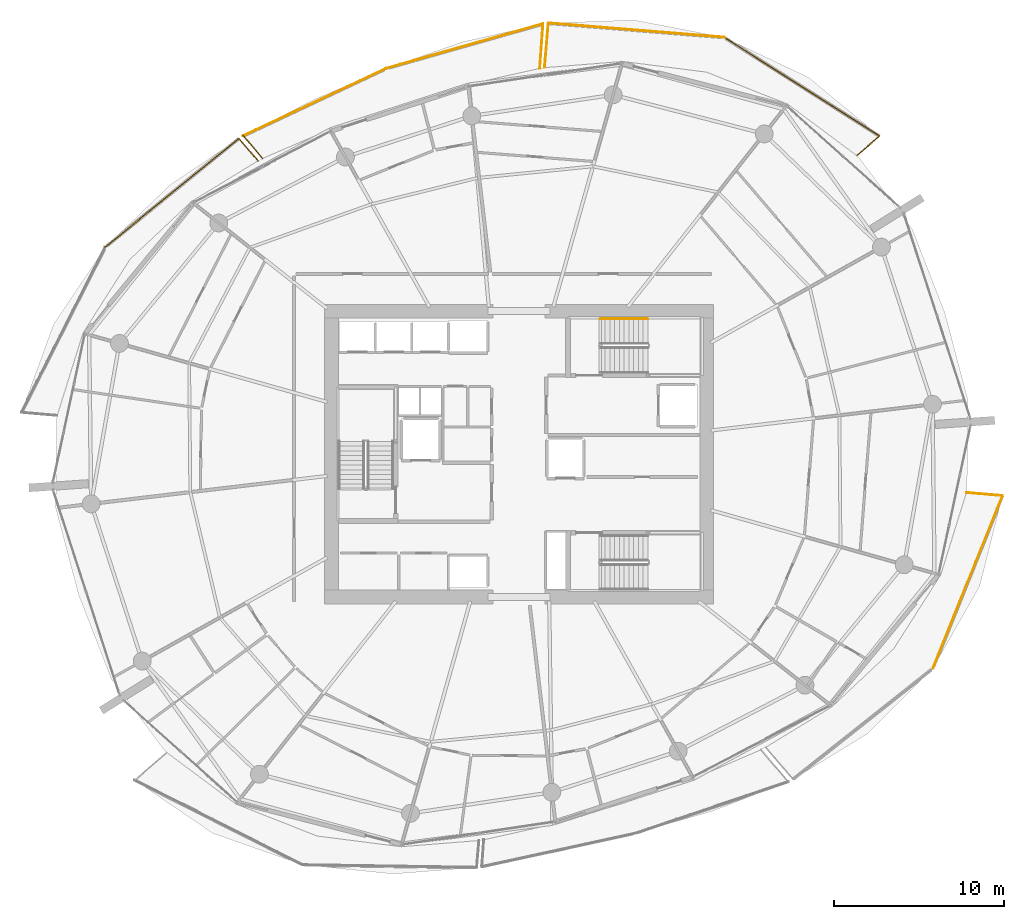
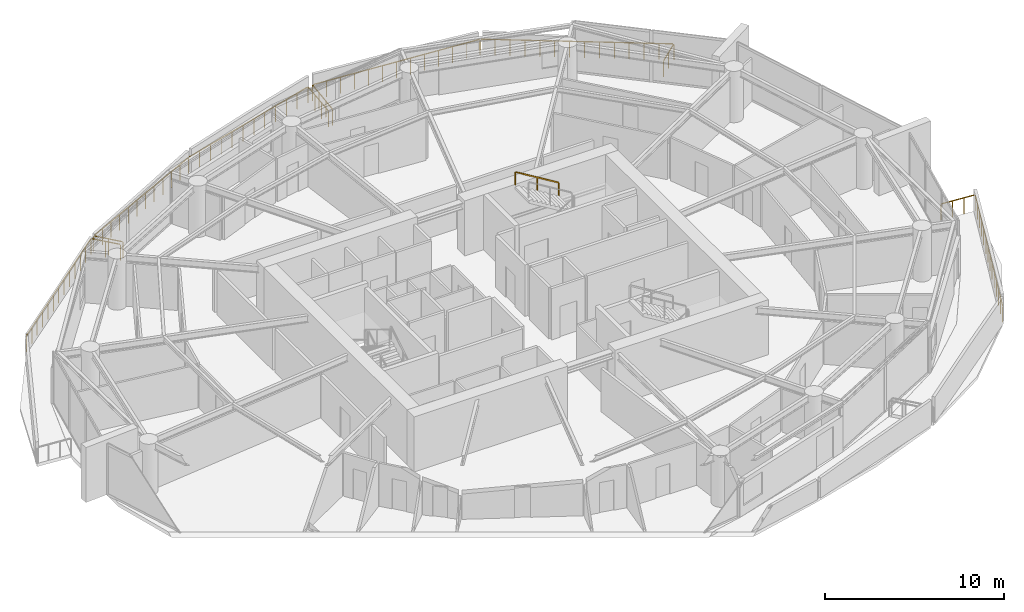
# One storey, part 20 of 20: 13 railings.
"""IFC4 building model written with IfcOpenShell, lengths in metres."""

from ifc_helpers import new_model, si_unit, direction, frame, origin, origin_2d, place, context, subcontext, project, spatial, rectangle, extrude, material, type_object, element, save


model = new_model("IFC4")

# Units and contexts
model_context = context("Model", 3, precision=1e-05, world=origin(), true_north=direction((0.0, 1.0)))
body_context = subcontext(model_context, "Body", "Model", "MODEL_VIEW")
ifc_project = project(units=[si_unit("LENGTHUNIT", "METRE"), si_unit("AREAUNIT", "SQUARE_METRE"), si_unit("VOLUMEUNIT", "CUBIC_METRE"), si_unit("PLANEANGLEUNIT", "RADIAN"), si_unit("MASSUNIT", "GRAM", prefix="KILO")], contexts=[model_context])

# Site, building, storey
site_placement = place(None, origin())
site = spatial("IfcSite", under=ifc_project, at=site_placement, CompositionType="ELEMENT")
building_placement = place(site_placement, origin())
building = spatial("IfcBuilding", under=site, at=building_placement, Name="Kazma Halo Residences", CompositionType="ELEMENT")
storey_placement = place(building_placement, frame((0.0, 0.0, 157.800048828125)))
storey = spatial("IfcBuildingStorey", under=building, at=storey_placement, Name="L39", CompositionType="ELEMENT", Elevation=157.800048828125)

# Railings
ifc_material_1 = material(Name="Aluminium AW-6063 T6 Brushed Cap Rail", Category="aluminium")
railing_type_1 = type_object("IfcRailingType", Name="RLG-BAL-CAP-1120", PredefinedType="BALUSTRADE", material=ifc_material_1)
railing_1_placement = place(storey_placement, frame((68.294677734375, 59.548583984375, 0.0)))
element("IfcRailing", 1, at=railing_1_placement, inside=storey, type_object=railing_type_1, Name="L39 NE wave balcony guard 1", PredefinedType="BALUSTRADE", context=body_context, shape_type="SweptSolid", body=[
    extrude(rectangle(XDim=0.050048828125, YDim=0.050048828125, at=origin_2d()), frame((0.0322265625, 0.02783203125, 1.09521484375), z_axis=(0.756385467326, 0.654126153595, 0.0), x_axis=(-0.654126153595, 0.756385467326, 0.0)), (0.0, 0.0, 1.0), 1.672119140625),
    extrude(rectangle(XDim=0.0400390625, YDim=0.0400390625, at=origin_2d()), origin(), (0.0, 0.0, 1.0), 1.05810546875),
    extrude(rectangle(XDim=0.0400390625, YDim=0.0400390625, at=origin_2d()), frame((0.66455078125, 0.57470703125, 0.0)), (0.0, 0.0, 1.0), 1.05810546875),
    extrude(rectangle(XDim=0.0400390625, YDim=0.0400390625, at=origin_2d()), frame((1.3291015625, 1.1494140625, 0.0)), (0.0, 0.0, 1.0), 1.05810546875),
])
railing_2_placement = place(storey_placement, frame((69.623779296875, 60.697998046875, 0.0)))
element("IfcRailing", 2, at=railing_2_placement, inside=storey, type_object=railing_type_1, Name="L39 NE wave balcony guard 2", PredefinedType="BALUSTRADE", context=body_context, shape_type="SweptSolid", body=[
    extrude(rectangle(XDim=0.050048828125, YDim=0.050048828125, at=origin_2d()), frame((-0.035888671875, 0.022705078125, 1.09521484375), z_axis=(-0.844056806548, 0.53625377138, 0.0), x_axis=(-0.53625377138, -0.844056806548, 0.0)), (0.0, 0.0, 1.0), 10.74169921875),
    extrude(rectangle(XDim=0.0400390625, YDim=0.0400390625, at=origin_2d()), origin(), (0.0, 0.0, 1.0), 1.05810546875),
    extrude(rectangle(XDim=0.0400390625, YDim=0.0400390625, at=origin_2d()), frame((-0.702880859375, 0.446533203125, 0.0)), (0.0, 0.0, 1.0), 1.05810546875),
    extrude(rectangle(XDim=0.0400390625, YDim=0.0400390625, at=origin_2d()), frame((-1.406005859375, 0.893310546875, 0.0)), (0.0, 0.0, 1.0), 1.05810546875),
    extrude(rectangle(XDim=0.0400390625, YDim=0.0400390625, at=origin_2d()), frame((-2.10888671875, 1.33984375, 0.0)), (0.0, 0.0, 1.0), 1.05810546875),
    extrude(rectangle(XDim=0.0400390625, YDim=0.0400390625, at=origin_2d()), frame((-2.811767578125, 1.786376953125, 0.0)), (0.0, 0.0, 1.0), 1.05810546875),
    extrude(rectangle(XDim=0.0400390625, YDim=0.0400390625, at=origin_2d()), frame((-3.514892578125, 2.233154296875, 0.0)), (0.0, 0.0, 1.0), 1.05810546875),
    extrude(rectangle(XDim=0.0400390625, YDim=0.0400390625, at=origin_2d()), frame((-4.2177734375, 2.6796875, 0.0)), (0.0, 0.0, 1.0), 1.05810546875),
    extrude(rectangle(XDim=0.0400390625, YDim=0.0400390625, at=origin_2d()), frame((-4.920654296875, 3.126220703125, 0.0)), (0.0, 0.0, 1.0), 1.05810546875),
    extrude(rectangle(XDim=0.0400390625, YDim=0.0400390625, at=origin_2d()), frame((-5.62353515625, 3.57275390625, 0.0)), (0.0, 0.0, 1.0), 1.05810546875),
    extrude(rectangle(XDim=0.0400390625, YDim=0.0400390625, at=origin_2d()), frame((-6.32666015625, 4.01953125, 0.0)), (0.0, 0.0, 1.0), 1.05810546875),
    extrude(rectangle(XDim=0.0400390625, YDim=0.0400390625, at=origin_2d()), frame((-7.029541015625, 4.466064453125, 0.0)), (0.0, 0.0, 1.0), 1.05810546875),
    extrude(rectangle(XDim=0.0400390625, YDim=0.0400390625, at=origin_2d()), frame((-7.732421875, 4.91259765625, 0.0)), (0.0, 0.0, 1.0), 1.05810546875),
    extrude(rectangle(XDim=0.0400390625, YDim=0.0400390625, at=origin_2d()), frame((-8.435546875, 5.359375, 0.0)), (0.0, 0.0, 1.0), 1.05810546875),
    extrude(rectangle(XDim=0.0400390625, YDim=0.0400390625, at=origin_2d()), frame((-9.138427734375, 5.805908203125, 0.0)), (0.0, 0.0, 1.0), 1.05810546875),
])
railing_3_placement = place(storey_placement, frame((60.4853515625, 66.50390625, 0.0)))
element("IfcRailing", 3, at=railing_3_placement, inside=storey, type_object=railing_type_1, Name="L39 NE wave balcony guard 3", PredefinedType="BALUSTRADE", context=body_context, shape_type="SweptSolid", body=[
    extrude(rectangle(XDim=0.050048828125, YDim=0.050048828125, at=origin_2d()), frame((-0.04248046875, 0.00341796875, 1.09521484375), z_axis=(-0.996744970525, 0.080619251626, 0.0), x_axis=(-0.080619251626, -0.996744970525, 0.0)), (0.0, 0.0, 1.0), 10.283935546875),
    extrude(rectangle(XDim=0.0400390625, YDim=0.0400390625, at=origin_2d()), origin(), (0.0, 0.0, 1.0), 1.05810546875),
    extrude(rectangle(XDim=0.0400390625, YDim=0.0400390625, at=origin_2d()), frame((-0.861328125, 0.069580078125, 0.0)), (0.0, 0.0, 1.0), 1.05810546875),
    extrude(rectangle(XDim=0.0400390625, YDim=0.0400390625, at=origin_2d()), frame((-1.72265625, 0.139404296875, 0.0)), (0.0, 0.0, 1.0), 1.05810546875),
    extrude(rectangle(XDim=0.0400390625, YDim=0.0400390625, at=origin_2d()), frame((-2.583740234375, 0.208984375, 0.0)), (0.0, 0.0, 1.0), 1.05810546875),
    extrude(rectangle(XDim=0.0400390625, YDim=0.0400390625, at=origin_2d()), frame((-3.445068359375, 0.278564453125, 0.0)), (0.0, 0.0, 1.0), 1.05810546875),
    extrude(rectangle(XDim=0.0400390625, YDim=0.0400390625, at=origin_2d()), frame((-4.306396484375, 0.348388671875, 0.0)), (0.0, 0.0, 1.0), 1.05810546875),
    extrude(rectangle(XDim=0.0400390625, YDim=0.0400390625, at=origin_2d()), frame((-5.16748046875, 0.41796875, 0.0)), (0.0, 0.0, 1.0), 1.05810546875),
    extrude(rectangle(XDim=0.0400390625, YDim=0.0400390625, at=origin_2d()), frame((-6.02880859375, 0.487548828125, 0.0)), (0.0, 0.0, 1.0), 1.05810546875),
    extrude(rectangle(XDim=0.0400390625, YDim=0.0400390625, at=origin_2d()), frame((-6.89013671875, 0.557373046875, 0.0)), (0.0, 0.0, 1.0), 1.05810546875),
    extrude(rectangle(XDim=0.0400390625, YDim=0.0400390625, at=origin_2d()), frame((-7.75146484375, 0.626953125, 0.0)), (0.0, 0.0, 1.0), 1.05810546875),
    extrude(rectangle(XDim=0.0400390625, YDim=0.0400390625, at=origin_2d()), frame((-8.61279296875, 0.696533203125, 0.0)), (0.0, 0.0, 1.0), 1.05810546875),
    extrude(rectangle(XDim=0.0400390625, YDim=0.0400390625, at=origin_2d()), frame((-9.473876953125, 0.766357421875, 0.0)), (0.0, 0.0, 1.0), 1.05810546875),
    extrude(rectangle(XDim=0.0400390625, YDim=0.0400390625, at=origin_2d()), frame((-10.335205078125, 0.8359375, 0.0)), (0.0, 0.0, 1.0), 1.05810546875),
])
railing_4_placement = place(storey_placement, frame((50.150146484375, 67.33984375, 0.0)))
element("IfcRailing", 4, at=railing_4_placement, inside=storey, type_object=railing_type_1, Name="L39 NE wave balcony guard 4", PredefinedType="BALUSTRADE", context=body_context, shape_type="SweptSolid", body=[
    extrude(rectangle(XDim=0.050048828125, YDim=0.050048828125, at=origin_2d()), frame((-0.003662109375, -0.04248046875, 1.09521484375), z_axis=(-0.084513405862, -0.996422342298, 0.0), x_axis=(0.996422342298, -0.084513405862, 0.0)), (0.0, 0.0, 1.0), 2.543701171875),
    extrude(rectangle(XDim=0.0400390625, YDim=0.0400390625, at=origin_2d()), origin(), (0.0, 0.0, 1.0), 1.05810546875),
    extrude(rectangle(XDim=0.0400390625, YDim=0.0400390625, at=origin_2d()), frame((-0.073974609375, -0.873046875, 0.0)), (0.0, 0.0, 1.0), 1.05810546875),
    extrude(rectangle(XDim=0.0400390625, YDim=0.0400390625, at=origin_2d()), frame((-0.148193359375, -1.746337890625, 0.0)), (0.0, 0.0, 1.0), 1.05810546875),
    extrude(rectangle(XDim=0.0400390625, YDim=0.0400390625, at=origin_2d()), frame((-0.22216796875, -2.619384765625, 0.0)), (0.0, 0.0, 1.0), 1.05810546875),
])
railing_5_placement = place(storey_placement, frame((49.6455078125, 64.67822265625, 0.0)))
element("IfcRailing", 5, at=railing_5_placement, inside=storey, type_object=railing_type_1, Name="L39 NNW wave balcony guard 1", PredefinedType="BALUSTRADE", context=body_context, shape_type="SweptSolid", body=[
    extrude(rectangle(XDim=0.050048828125, YDim=0.050048828125, at=origin_2d()), frame((0.003173828125, 0.04248046875, 1.09521484375), z_axis=(0.072377534265, 0.997377307008, 0.0), x_axis=(-0.997377307008, 0.072377534265, 0.0)), (0.0, 0.0, 1.0), 2.539306640625),
    extrude(rectangle(XDim=0.0400390625, YDim=0.0400390625, at=origin_2d()), origin(), (0.0, 0.0, 1.0), 1.05810546875),
    extrude(rectangle(XDim=0.0400390625, YDim=0.0400390625, at=origin_2d()), frame((0.063232421875, 0.87255859375, 0.0)), (0.0, 0.0, 1.0), 1.05810546875),
    extrude(rectangle(XDim=0.0400390625, YDim=0.0400390625, at=origin_2d()), frame((0.126708984375, 1.744873046875, 0.0)), (0.0, 0.0, 1.0), 1.05810546875),
    extrude(rectangle(XDim=0.0400390625, YDim=0.0400390625, at=origin_2d()), frame((0.18994140625, 2.617431640625, 0.0)), (0.0, 0.0, 1.0), 1.05810546875),
])
railing_6_placement = place(storey_placement, frame((49.83544921875, 67.295654296875, 0.0)))
element("IfcRailing", 6, at=railing_6_placement, inside=storey, type_object=railing_type_1, Name="L39 NNW wave balcony guard 2", PredefinedType="BALUSTRADE", context=body_context, shape_type="SweptSolid", body=[
    extrude(rectangle(XDim=0.050048828125, YDim=0.050048828125, at=origin_2d()), frame((-0.041015625, -0.01171875, 1.09521484375), z_axis=(-0.961898536708, -0.273406666119, 0.0), x_axis=(0.273406666119, -0.961898536708, 0.0)), (0.0, 0.0, 1.0), 9.48388671875),
    extrude(rectangle(XDim=0.0400390625, YDim=0.0400390625, at=origin_2d()), origin(), (0.0, 0.0, 1.0), 1.05810546875),
    extrude(rectangle(XDim=0.0400390625, YDim=0.0400390625, at=origin_2d()), frame((-0.836669921875, -0.23779296875, 0.0)), (0.0, 0.0, 1.0), 1.05810546875),
    extrude(rectangle(XDim=0.0400390625, YDim=0.0400390625, at=origin_2d()), frame((-1.673583984375, -0.4755859375, 0.0)), (0.0, 0.0, 1.0), 1.05810546875),
    extrude(rectangle(XDim=0.0400390625, YDim=0.0400390625, at=origin_2d()), frame((-2.51025390625, -0.713623046875, 0.0)), (0.0, 0.0, 1.0), 1.05810546875),
    extrude(rectangle(XDim=0.0400390625, YDim=0.0400390625, at=origin_2d()), frame((-3.346923828125, -0.951416015625, 0.0)), (0.0, 0.0, 1.0), 1.05810546875),
    extrude(rectangle(XDim=0.0400390625, YDim=0.0400390625, at=origin_2d()), frame((-4.183837890625, -1.189208984375, 0.0)), (0.0, 0.0, 1.0), 1.05810546875),
    extrude(rectangle(XDim=0.0400390625, YDim=0.0400390625, at=origin_2d()), frame((-5.0205078125, -1.427001953125, 0.0)), (0.0, 0.0, 1.0), 1.05810546875),
    extrude(rectangle(XDim=0.0400390625, YDim=0.0400390625, at=origin_2d()), frame((-5.857421875, -1.664794921875, 0.0)), (0.0, 0.0, 1.0), 1.05810546875),
    extrude(rectangle(XDim=0.0400390625, YDim=0.0400390625, at=origin_2d()), frame((-6.694091796875, -1.902587890625, 0.0)), (0.0, 0.0, 1.0), 1.05810546875),
    extrude(rectangle(XDim=0.0400390625, YDim=0.0400390625, at=origin_2d()), frame((-7.53076171875, -2.140625, 0.0)), (0.0, 0.0, 1.0), 1.05810546875),
    extrude(rectangle(XDim=0.0400390625, YDim=0.0400390625, at=origin_2d()), frame((-8.36767578125, -2.37841796875, 0.0)), (0.0, 0.0, 1.0), 1.05810546875),
    extrude(rectangle(XDim=0.0400390625, YDim=0.0400390625, at=origin_2d()), frame((-9.204345703125, -2.6162109375, 0.0)), (0.0, 0.0, 1.0), 1.05810546875),
])
railing_7_placement = place(storey_placement, frame((40.631103515625, 64.679443359375, 0.0)))
element("IfcRailing", 7, at=railing_7_placement, inside=storey, type_object=railing_type_1, Name="L39 NNW wave balcony guard 3", PredefinedType="BALUSTRADE", context=body_context, shape_type="SweptSolid", body=[
    extrude(rectangle(XDim=0.050048828125, YDim=0.050048828125, at=origin_2d()), frame((-0.03857421875, -0.01806640625, 1.09521484375), z_axis=(-0.904566410439, -0.426332744585, 0.0), x_axis=(0.426332744585, -0.904566410439, 0.0)), (0.0, 0.0, 1.0), 9.219482421875),
    extrude(rectangle(XDim=0.0400390625, YDim=0.0400390625, at=origin_2d()), origin(), (0.0, 0.0, 1.0), 1.05810546875),
    extrude(rectangle(XDim=0.0400390625, YDim=0.0400390625, at=origin_2d()), frame((-0.76513671875, -0.360595703125, 0.0)), (0.0, 0.0, 1.0), 1.05810546875),
    extrude(rectangle(XDim=0.0400390625, YDim=0.0400390625, at=origin_2d()), frame((-1.5302734375, -0.72119140625, 0.0)), (0.0, 0.0, 1.0), 1.05810546875),
    extrude(rectangle(XDim=0.0400390625, YDim=0.0400390625, at=origin_2d()), frame((-2.29541015625, -1.081787109375, 0.0)), (0.0, 0.0, 1.0), 1.05810546875),
    extrude(rectangle(XDim=0.0400390625, YDim=0.0400390625, at=origin_2d()), frame((-3.060546875, -1.4423828125, 0.0)), (0.0, 0.0, 1.0), 1.05810546875),
    extrude(rectangle(XDim=0.0400390625, YDim=0.0400390625, at=origin_2d()), frame((-3.82568359375, -1.802978515625, 0.0)), (0.0, 0.0, 1.0), 1.05810546875),
    extrude(rectangle(XDim=0.0400390625, YDim=0.0400390625, at=origin_2d()), frame((-4.5908203125, -2.163818359375, 0.0)), (0.0, 0.0, 1.0), 1.05810546875),
    extrude(rectangle(XDim=0.0400390625, YDim=0.0400390625, at=origin_2d()), frame((-5.35595703125, -2.5244140625, 0.0)), (0.0, 0.0, 1.0), 1.05810546875),
    extrude(rectangle(XDim=0.0400390625, YDim=0.0400390625, at=origin_2d()), frame((-6.12109375, -2.885009765625, 0.0)), (0.0, 0.0, 1.0), 1.05810546875),
    extrude(rectangle(XDim=0.0400390625, YDim=0.0400390625, at=origin_2d()), frame((-6.88623046875, -3.24560546875, 0.0)), (0.0, 0.0, 1.0), 1.05810546875),
    extrude(rectangle(XDim=0.0400390625, YDim=0.0400390625, at=origin_2d()), frame((-7.6513671875, -3.606201171875, 0.0)), (0.0, 0.0, 1.0), 1.05810546875),
    extrude(rectangle(XDim=0.0400390625, YDim=0.0400390625, at=origin_2d()), frame((-8.41650390625, -3.966796875, 0.0)), (0.0, 0.0, 1.0), 1.05810546875),
])
railing_8_placement = place(storey_placement, frame((32.214599609375, 60.712646484375, 0.0)))
element("IfcRailing", 8, at=railing_8_placement, inside=storey, type_object=railing_type_1, Name="L39 NNW wave balcony guard 4", PredefinedType="BALUSTRADE", context=body_context, shape_type="SweptSolid", body=[
    extrude(rectangle(XDim=0.050048828125, YDim=0.050048828125, at=origin_2d()), frame((0.02734375, -0.032470703125, 1.09521484375), z_axis=(0.644786588531, -0.764362646426, 0.0), x_axis=(0.764362646426, 0.644786588531, 0.0)), (0.0, 0.0, 1.0), 1.658447265625),
    extrude(rectangle(XDim=0.0400390625, YDim=0.0400390625, at=origin_2d()), origin(), (0.0, 0.0, 1.0), 1.05810546875),
    extrude(rectangle(XDim=0.0400390625, YDim=0.0400390625, at=origin_2d()), frame((0.56201171875, -0.66650390625, 0.0)), (0.0, 0.0, 1.0), 1.05810546875),
    extrude(rectangle(XDim=0.0400390625, YDim=0.0400390625, at=origin_2d()), frame((1.124267578125, -1.332763671875, 0.0)), (0.0, 0.0, 1.0), 1.05810546875),
])
railing_9_placement = place(storey_placement, frame((33.08544921875, 59.248046875, 0.0)))
element("IfcRailing", 9, at=railing_9_placement, inside=storey, type_object=railing_type_1, Name="L39 NW wave balcony guard 1", PredefinedType="BALUSTRADE", context=body_context, shape_type="SweptSolid", body=[
    extrude(rectangle(XDim=0.050048828125, YDim=0.050048828125, at=origin_2d()), frame((-0.02783203125, 0.0322265625, 1.09521484375), z_axis=(-0.654008270682, 0.756487397039, 0.0), x_axis=(-0.756487397039, -0.654008270682, 0.0)), (0.0, 0.0, 1.0), 1.649169921875),
    extrude(rectangle(XDim=0.0400390625, YDim=0.0400390625, at=origin_2d()), origin(), (0.0, 0.0, 1.0), 1.05810546875),
    extrude(rectangle(XDim=0.0400390625, YDim=0.0400390625, at=origin_2d()), frame((-0.567138671875, 0.656005859375, 0.0)), (0.0, 0.0, 1.0), 1.05810546875),
    extrude(rectangle(XDim=0.0400390625, YDim=0.0400390625, at=origin_2d()), frame((-1.13427734375, 1.31201171875, 0.0)), (0.0, 0.0, 1.0), 1.05810546875),
])
railing_10_placement = place(storey_placement, frame((31.951171875, 60.56005859375, 0.0)))
element("IfcRailing", 10, at=railing_10_placement, inside=storey, type_object=railing_type_1, Name="L39 NW wave balcony guard 2", PredefinedType="BALUSTRADE", context=body_context, shape_type="SweptSolid", body=[
    extrude(rectangle(XDim=0.050048828125, YDim=0.050048828125, at=origin_2d()), frame((-0.032958984375, -0.02685546875, 1.09521484375), z_axis=(-0.775869627128, -0.630893272829, 0.0), x_axis=(0.630893272829, -0.775869627128, 0.0)), (0.0, 0.0, 1.0), 10.032470703125),
    extrude(rectangle(XDim=0.0400390625, YDim=0.0400390625, at=origin_2d()), origin(), (0.0, 0.0, 1.0), 1.05810546875),
    extrude(rectangle(XDim=0.0400390625, YDim=0.0400390625, at=origin_2d()), frame((-0.654052734375, -0.531982421875, 0.0)), (0.0, 0.0, 1.0), 1.05810546875),
    extrude(rectangle(XDim=0.0400390625, YDim=0.0400390625, at=origin_2d()), frame((-1.308349609375, -1.06396484375, 0.0)), (0.0, 0.0, 1.0), 1.05810546875),
    extrude(rectangle(XDim=0.0400390625, YDim=0.0400390625, at=origin_2d()), frame((-1.96240234375, -1.595703125, 0.0)), (0.0, 0.0, 1.0), 1.05810546875),
    extrude(rectangle(XDim=0.0400390625, YDim=0.0400390625, at=origin_2d()), frame((-2.61669921875, -2.127685546875, 0.0)), (0.0, 0.0, 1.0), 1.05810546875),
    extrude(rectangle(XDim=0.0400390625, YDim=0.0400390625, at=origin_2d()), frame((-3.270751953125, -2.65966796875, 0.0)), (0.0, 0.0, 1.0), 1.05810546875),
    extrude(rectangle(XDim=0.0400390625, YDim=0.0400390625, at=origin_2d()), frame((-3.9248046875, -3.19140625, 0.0)), (0.0, 0.0, 1.0), 1.05810546875),
    extrude(rectangle(XDim=0.0400390625, YDim=0.0400390625, at=origin_2d()), frame((-4.5791015625, -3.723388671875, 0.0)), (0.0, 0.0, 1.0), 1.05810546875),
    extrude(rectangle(XDim=0.0400390625, YDim=0.0400390625, at=origin_2d()), frame((-5.233154296875, -4.25537109375, 0.0)), (0.0, 0.0, 1.0), 1.05810546875),
    extrude(rectangle(XDim=0.0400390625, YDim=0.0400390625, at=origin_2d()), frame((-5.887451171875, -4.787353515625, 0.0)), (0.0, 0.0, 1.0), 1.05810546875),
    extrude(rectangle(XDim=0.0400390625, YDim=0.0400390625, at=origin_2d()), frame((-6.54150390625, -5.3193359375, 0.0)), (0.0, 0.0, 1.0), 1.05810546875),
    extrude(rectangle(XDim=0.0400390625, YDim=0.0400390625, at=origin_2d()), frame((-7.19580078125, -5.85107421875, 0.0)), (0.0, 0.0, 1.0), 1.05810546875),
    extrude(rectangle(XDim=0.0400390625, YDim=0.0400390625, at=origin_2d()), frame((-7.849853515625, -6.383056640625, 0.0)), (0.0, 0.0, 1.0), 1.05810546875),
])
railing_11_placement = place(storey_placement, frame((72.7548828125, 29.38671875, 0.0)))
element("IfcRailing", 11, at=railing_11_placement, inside=storey, type_object=railing_type_1, Name="L39 SE wave balcony guard 3", PredefinedType="BALUSTRADE", context=body_context, shape_type="SweptSolid", body=[
    extrude(rectangle(XDim=0.050048828125, YDim=0.050048828125, at=origin_2d()), frame((0.015869140625, 0.03955078125, 1.09521484375), z_axis=(0.373954738113, 0.927446954733, 0.0), x_axis=(-0.927446954733, 0.373954738113, 0.0)), (0.0, 0.0, 1.0), 10.875244140625),
    extrude(rectangle(XDim=0.0400390625, YDim=0.0400390625, at=origin_2d()), origin(), (0.0, 0.0, 1.0), 1.05810546875),
    extrude(rectangle(XDim=0.0400390625, YDim=0.0400390625, at=origin_2d()), frame((0.315185546875, 0.781982421875, 0.0)), (0.0, 0.0, 1.0), 1.05810546875),
    extrude(rectangle(XDim=0.0400390625, YDim=0.0400390625, at=origin_2d()), frame((0.630615234375, 1.56396484375, 0.0)), (0.0, 0.0, 1.0), 1.05810546875),
    extrude(rectangle(XDim=0.0400390625, YDim=0.0400390625, at=origin_2d()), frame((0.94580078125, 2.345703125, 0.0)), (0.0, 0.0, 1.0), 1.05810546875),
    extrude(rectangle(XDim=0.0400390625, YDim=0.0400390625, at=origin_2d()), frame((1.26123046875, 3.127685546875, 0.0)), (0.0, 0.0, 1.0), 1.05810546875),
    extrude(rectangle(XDim=0.0400390625, YDim=0.0400390625, at=origin_2d()), frame((1.576416015625, 3.90966796875, 0.0)), (0.0, 0.0, 1.0), 1.05810546875),
    extrude(rectangle(XDim=0.0400390625, YDim=0.0400390625, at=origin_2d()), frame((1.8916015625, 4.691650390625, 0.0)), (0.0, 0.0, 1.0), 1.05810546875),
    extrude(rectangle(XDim=0.0400390625, YDim=0.0400390625, at=origin_2d()), frame((2.20703125, 5.473388671875, 0.0)), (0.0, 0.0, 1.0), 1.05810546875),
    extrude(rectangle(XDim=0.0400390625, YDim=0.0400390625, at=origin_2d()), frame((2.522216796875, 6.25537109375, 0.0)), (0.0, 0.0, 1.0), 1.05810546875),
    extrude(rectangle(XDim=0.0400390625, YDim=0.0400390625, at=origin_2d()), frame((2.83740234375, 7.037353515625, 0.0)), (0.0, 0.0, 1.0), 1.05810546875),
    extrude(rectangle(XDim=0.0400390625, YDim=0.0400390625, at=origin_2d()), frame((3.15283203125, 7.8193359375, 0.0)), (0.0, 0.0, 1.0), 1.05810546875),
    extrude(rectangle(XDim=0.0400390625, YDim=0.0400390625, at=origin_2d()), frame((3.468017578125, 8.60107421875, 0.0)), (0.0, 0.0, 1.0), 1.05810546875),
    extrude(rectangle(XDim=0.0400390625, YDim=0.0400390625, at=origin_2d()), frame((3.783447265625, 9.383056640625, 0.0)), (0.0, 0.0, 1.0), 1.05810546875),
    extrude(rectangle(XDim=0.0400390625, YDim=0.0400390625, at=origin_2d()), frame((4.0986328125, 10.1650390625, 0.0)), (0.0, 0.0, 1.0), 1.05810546875),
])
railing_12_placement = place(storey_placement, frame((76.853515625, 39.5517578125, 0.0)))
element("IfcRailing", 12, at=railing_12_placement, inside=storey, type_object=railing_type_1, Name="L39 SE wave balcony guard 4", PredefinedType="BALUSTRADE", context=body_context, shape_type="SweptSolid", body=[
    extrude(rectangle(XDim=0.050048828125, YDim=0.050048828125, at=origin_2d()), frame((-0.04248046875, 0.003662109375, 1.09521484375), z_axis=(-0.99641798838, 0.084564723334, 0.0), x_axis=(-0.084564723334, -0.99641798838, 0.0)), (0.0, 0.0, 1.0), 2.042724609375),
    extrude(rectangle(XDim=0.0400390625, YDim=0.0400390625, at=origin_2d()), origin(), (0.0, 0.0, 1.0), 1.05810546875),
    extrude(rectangle(XDim=0.0400390625, YDim=0.0400390625, at=origin_2d()), frame((-0.706787109375, 0.06005859375, 0.0)), (0.0, 0.0, 1.0), 1.05810546875),
    extrude(rectangle(XDim=0.0400390625, YDim=0.0400390625, at=origin_2d()), frame((-1.413330078125, 0.119873046875, 0.0)), (0.0, 0.0, 1.0), 1.05810546875),
    extrude(rectangle(XDim=0.0400390625, YDim=0.0400390625, at=origin_2d()), frame((-2.1201171875, 0.179931640625, 0.0)), (0.0, 0.0, 1.0), 1.05810546875),
])
ifc_material_2 = material(Name="Brushed Stainless Steel", Category="steel")
railing_type_2 = type_object("IfcRailingType", Name="RLG-STAIR-HND-900", PredefinedType="HANDRAIL", material=ifc_material_2)
railing_13_placement = place(storey_placement, frame((56.0, 49.949951171875, 2.04541015625)))
element("IfcRailing", 13, at=railing_13_placement, inside=storey, type_object=railing_type_2, Name="L39 ST-02 stair handrail 2", PredefinedType="HANDRAIL", context=body_context, shape_type="SweptSolid", body=[
    extrude(rectangle(XDim=0.050048828125, YDim=0.050048828125, at=origin_2d()), frame((-0.036376953125, 0.0, 0.89697265625), z_axis=(-0.854169791009, 0.0, 0.51999420009), x_axis=(0.0, -1.0, 0.0)), (0.0, 0.0, 1.0), 3.193115234375),
    extrude(rectangle(XDim=0.0400390625, YDim=0.0400390625, at=origin_2d()), origin(), (0.0, 0.0, 1.0), 0.837890625),
    extrude(rectangle(XDim=0.0400390625, YDim=0.0400390625, at=origin_2d()), frame((-1.39990234375, 0.0, 0.852294921875)), (0.0, 0.0, 1.0), 0.837890625),
    extrude(rectangle(XDim=0.0400390625, YDim=0.0400390625, at=origin_2d()), frame((-2.800048828125, 0.0, 1.70458984375)), (0.0, 0.0, 1.0), 0.837890625),
])

save(model, "model.ifc")
